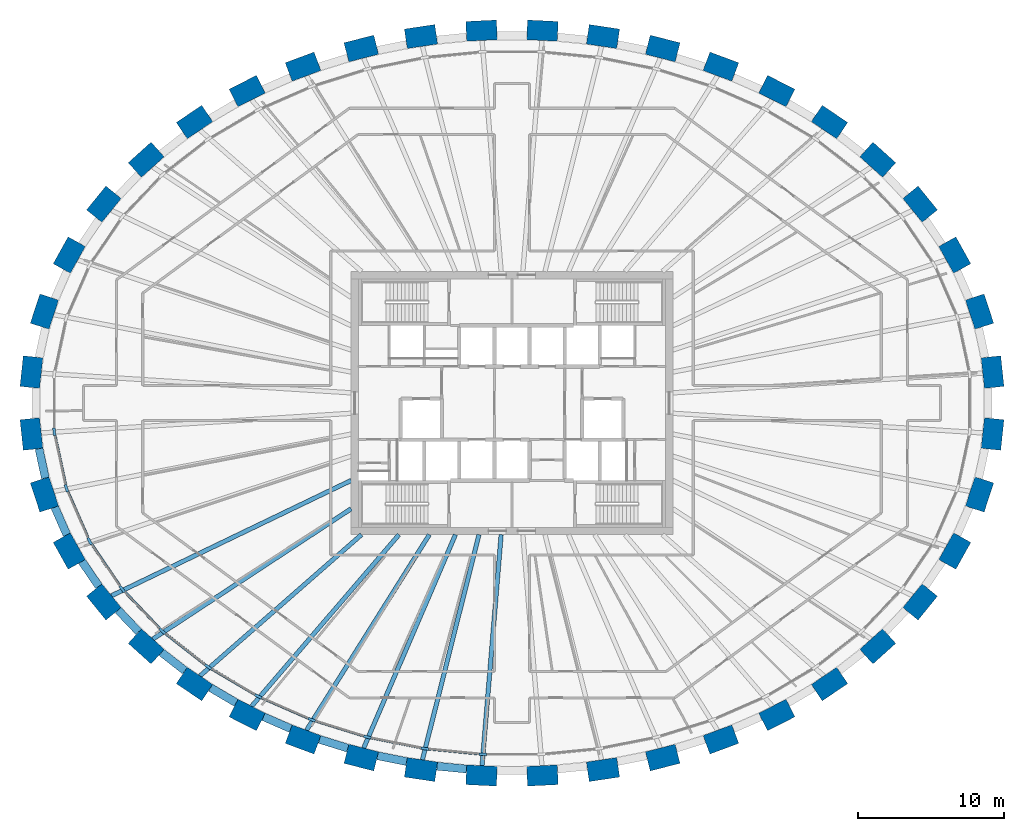
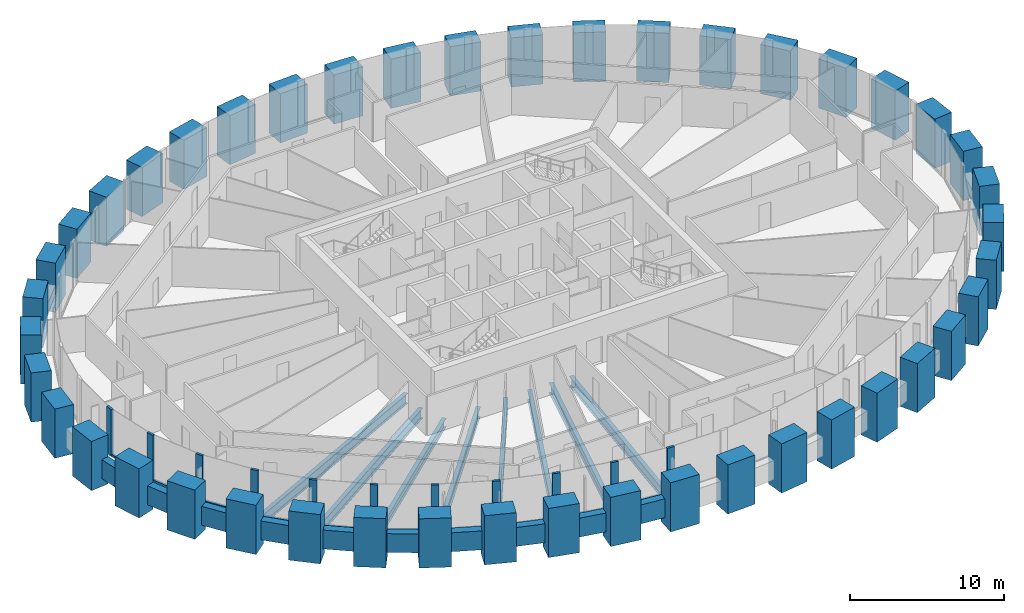
# One storey, part 1 of 12: 44 columns, 21 members, 18 beams, 1 element without a shape of its own.
"""IFC4 building model written with IfcOpenShell, lengths in metres."""

from ifc_helpers import new_model, si_unit, direction, frame, origin, origin_2d, place, context, subcontext, project, spatial, rectangle, i_section, extrude, source, transform, mapped, material, material_profile, profile_set, type_object, element, aggregate, save


model = new_model("IFC4")

# Units and contexts
model_context = context("Model", 3, precision=1e-05, world=origin(), true_north=direction((0.0, 1.0)))
body_context = subcontext(model_context, "Body", "Model", "MODEL_VIEW")
ifc_project = project(units=[si_unit("LENGTHUNIT", "METRE"), si_unit("AREAUNIT", "SQUARE_METRE"), si_unit("VOLUMEUNIT", "CUBIC_METRE"), si_unit("PLANEANGLEUNIT", "RADIAN"), si_unit("MASSUNIT", "GRAM", prefix="KILO")], contexts=[model_context])

# Site, building, storey
site_placement = place(None, origin())
site = spatial("IfcSite", under=ifc_project, at=site_placement, CompositionType="ELEMENT")
building_placement = place(site_placement, origin())
building = spatial("IfcBuilding", under=site, at=building_placement, Name="Embergate Tower", CompositionType="ELEMENT")
storey_placement = place(building_placement, frame((0.0, 0.0, 265.60009765625)))
storey = spatial("IfcBuildingStorey", under=building, at=storey_placement, Name="L61", CompositionType="ELEMENT", Elevation=265.60009765625)

# Columns
ifc_material_1 = material(Name="Concrete C60", Category="concrete")
ifc_material_profile_1 = material_profile(ifc_material_1, rectangle(XDim=1.35009765625, YDim=2.10009765625, at=origin_2d()), Name="RC 1350x2100")
ifc_profile_set_1 = profile_set([ifc_material_profile_1], Name="Concrete C60")
column_type = type_object("IfcColumnType", Name="Ring column RC 1350x2100 C60", PredefinedType="COLUMN", material=ifc_profile_set_1)
shared_shape_1 = source(origin(), body_context, "Body", "SweptSolid", [
    extrude(rectangle(XDim=1.35009765625, YDim=2.10009765625, at=origin_2d()), origin(), (0.0, 0.0, 1.0), 3.900146484375),
])
for number, where, z_axis, x_axis, name in (
    (1, (32.862060546875, 2.116943359375, -1.400146484375), (0.0, 0.0, 1.0), (0.99428589498, 0.106749983816, 0.0), "COL-L61-00"),
    (2, (31.971923828125, 6.2529296875, -1.400146484375), (0.0, 0.0, 1.0), (0.950754033697, 0.309946394413, 0.0), "COL-L61-01"),
    (3, (30.27587890625, 10.118896484375, -1.400146484375), (0.0, 0.0, 1.0), (0.873491969053, 0.486838556403, 0.0), "COL-L61-02"),
    (4, (27.908935546875, 13.60009765625, -1.400146484375), (0.0, 0.0, 1.0), (0.775914301615, 0.630838328377, 0.0), "COL-L61-03"),
    (5, (25.011962890625, 16.637939453125, -1.400146484375), (0.0, 0.0, 1.0), (0.669208424634, 0.74307475021, 0.0), "COL-L61-04"),
    (6, (21.7109375, 19.215087890625, -1.400146484375), (0.0, 0.0, 1.0), (0.560393279442, 0.828226643109, 0.0), "COL-L61-05"),
    (7, (18.10888671875, 21.3330078125, -1.400146484375), (0.0, 0.0, 1.0), (0.452994952881, 0.891513080478, 0.0), "COL-L61-06"),
    (8, (14.285888671875, 23.0048828125, -1.400146484375), (0.0, 0.0, 1.0), (0.348343015724, 0.93736713373, 0.0), "COL-L61-07"),
    (9, (10.306884765625, 24.243896484375, -1.400146484375), (0.0, 0.0, 1.0), (0.246491603437, 0.969144926951, 0.0), "COL-L61-08"),
    (10, (6.222900390625, 25.06298828125, -1.400146484375), (0.0, 0.0, 1.0), (0.146929011949, 0.989147039346, 0.0), "COL-L61-09"),
    (11, (2.0810546875, 25.469970703125, -1.400146484375), (0.0, 0.0, 1.0), (0.048814904854, 0.998807841912, 0.0), "COL-L61-10"),
    (12, (-2.0810546875, 25.469970703125, -1.400146484375), (0.0, 0.0, 1.0), (-0.048814904854, 0.998807841912, 0.0), "COL-L61-11"),
    (13, (-6.222900390625, 25.06298828125, -1.400146484375), (0.0, 0.0, 1.0), (-0.146929011949, 0.989147039346, 0.0), "COL-L61-12"),
    (14, (-10.306884765625, 24.243896484375, -1.400146484375), (0.0, 0.0, 1.0), (-0.246491603437, 0.969144926951, 0.0), "COL-L61-13"),
    (15, (-14.285888671875, 23.0048828125, -1.400146484375), (0.0, 0.0, 1.0), (-0.348343015724, 0.93736713373, 0.0), "COL-L61-14"),
    (16, (-18.10888671875, 21.3330078125, -1.400146484375), (0.0, 0.0, 1.0), (-0.452994952881, 0.891513080478, 0.0), "COL-L61-15"),
    (17, (-21.7109375, 19.215087890625, -1.400146484375), (0.0, 0.0, 1.0), (-0.560393279442, 0.828226643109, 0.0), "COL-L61-16"),
    (18, (-25.011962890625, 16.637939453125, -1.400146484375), (0.0, 0.0, 1.0), (-0.669208424634, 0.74307475021, 0.0), "COL-L61-17"),
    (19, (-27.908935546875, 13.60009765625, -1.400146484375), (0.0, 0.0, 1.0), (-0.775914301615, 0.630838328377, 0.0), "COL-L61-18"),
    (20, (-30.27587890625, 10.118896484375, -1.400146484375), (0.0, 0.0, 1.0), (-0.873491969053, 0.486838556403, 0.0), "COL-L61-19"),
    (21, (-31.971923828125, 6.2529296875, -1.400146484375), (0.0, 0.0, 1.0), (-0.950754033697, 0.309946394413, 0.0), "COL-L61-20"),
    (22, (-32.862060546875, 2.116943359375, -1.400146484375), (0.0, 0.0, 1.0), (-0.99428589498, 0.106749983816, 0.0), "COL-L61-21"),
    (23, (-32.862060546875, -2.116943359375, -1.400146484375), (0.0, 0.0, 1.0), (-0.99428589498, -0.106749983816, 0.0), "COL-L61-22"),
    (24, (-31.971923828125, -6.2529296875, -1.400146484375), (0.0, 0.0, 1.0), (-0.950754033697, -0.309946394413, 0.0), "COL-L61-23"),
    (25, (-30.27587890625, -10.118896484375, -1.400146484375), (0.0, 0.0, 1.0), (-0.873491969053, -0.486838556403, 0.0), "COL-L61-24"),
    (26, (-27.908935546875, -13.60009765625, -1.400146484375), (0.0, 0.0, 1.0), (-0.775914301615, -0.630838328377, 0.0), "COL-L61-25"),
    (27, (-25.011962890625, -16.637939453125, -1.400146484375), (0.0, 0.0, 1.0), (-0.669208424634, -0.74307475021, 0.0), "COL-L61-26"),
    (28, (-21.7109375, -19.215087890625, -1.400146484375), (0.0, 0.0, 1.0), (-0.560393279442, -0.828226643109, 0.0), "COL-L61-27"),
    (29, (-18.10888671875, -21.3330078125, -1.400146484375), (0.0, 0.0, 1.0), (-0.452994952881, -0.891513080478, 0.0), "COL-L61-28"),
    (30, (-14.285888671875, -23.0048828125, -1.400146484375), (0.0, 0.0, 1.0), (-0.348343015724, -0.93736713373, 0.0), "COL-L61-29"),
    (31, (-10.306884765625, -24.243896484375, -1.400146484375), (0.0, 0.0, 1.0), (-0.246491603437, -0.969144926951, 0.0), "COL-L61-30"),
    (32, (-6.222900390625, -25.06298828125, -1.400146484375), (0.0, 0.0, 1.0), (-0.146929011949, -0.989147039346, 0.0), "COL-L61-31"),
    (33, (-2.0810546875, -25.469970703125, -1.400146484375), (0.0, 0.0, 1.0), (-0.048814904854, -0.998807841912, 0.0), "COL-L61-32"),
    (34, (2.0810546875, -25.469970703125, -1.400146484375), (0.0, 0.0, 1.0), (0.048814904854, -0.998807841912, 0.0), "COL-L61-33"),
    (35, (6.222900390625, -25.06298828125, -1.400146484375), (0.0, 0.0, 1.0), (0.146929011949, -0.989147039346, 0.0), "COL-L61-34"),
    (36, (10.306884765625, -24.243896484375, -1.400146484375), (0.0, 0.0, 1.0), (0.246491603437, -0.969144926951, 0.0), "COL-L61-35"),
    (37, (14.285888671875, -23.0048828125, -1.400146484375), (0.0, 0.0, 1.0), (0.348343015724, -0.93736713373, 0.0), "COL-L61-36"),
    (38, (18.10888671875, -21.3330078125, -1.400146484375), (0.0, 0.0, 1.0), (0.452994952881, -0.891513080478, 0.0), "COL-L61-37"),
    (39, (21.7109375, -19.215087890625, -1.400146484375), (0.0, 0.0, 1.0), (0.560393279442, -0.828226643109, 0.0), "COL-L61-38"),
    (40, (25.011962890625, -16.637939453125, -1.400146484375), (0.0, 0.0, 1.0), (0.669208424634, -0.74307475021, 0.0), "COL-L61-39"),
    (41, (27.908935546875, -13.60009765625, -1.400146484375), (0.0, 0.0, 1.0), (0.775914301615, -0.630838328377, 0.0), "COL-L61-40"),
    (42, (30.27587890625, -10.118896484375, -1.400146484375), (0.0, 0.0, 1.0), (0.873491969053, -0.486838556403, 0.0), "COL-L61-41"),
    (43, (31.971923828125, -6.2529296875, -1.400146484375), (0.0, 0.0, 1.0), (0.950754033697, -0.309946394413, 0.0), "COL-L61-42"),
    (44, (32.862060546875, -2.116943359375, -1.400146484375), (0.0, 0.0, 1.0), (0.99428589498, -0.106749983816, 0.0), "COL-L61-43"),
):
    element("IfcColumn", number, at=place(storey_placement, frame(where, z_axis=z_axis, x_axis=x_axis)), inside=storey, type_object=column_type, Name=name, PredefinedType="COLUMN", context=body_context, shape_type="MappedRepresentation", body=[
        mapped(shared_shape_1, transform((0.0, 0.0, 0.0))),
    ])

# Beams
ifc_material_profile_2 = material_profile(ifc_material_1, rectangle(XDim=0.550048828125, YDim=1.5, at=origin_2d()), Name="RC 550x1500")
ifc_profile_set_2 = profile_set([ifc_material_profile_2], Name="Concrete C60")
beam_type_1 = type_object("IfcBeamType", Name="Spandrel beam RC 550x1500 C60", PredefinedType="BEAM", material=ifc_profile_set_2)
shared_shape_2 = source(origin(), body_context, "Body", "SweptSolid", [
    extrude(rectangle(XDim=0.550048828125, YDim=1.5, at=origin_2d()), origin(), (0.0, 0.0, 1.0), 2.05810546875),
])
beam_1_placement = place(storey_placement, frame((-32.343994140625, -3.116943359375, 0.0), z_axis=(0.210444450804, -0.977605816843, 0.0), x_axis=(0.977605816843, 0.210444450804, 0.0)))
element("IfcBeam", 45, at=beam_1_placement, inside=storey, type_object=beam_type_1, Name="SPN-L61-22", PredefinedType="BEAM", context=body_context, shape_type="MappedRepresentation", body=[
    mapped(shared_shape_2, transform((0.0, 0.0, 0.0))),
])
shared_shape_3 = source(origin(), body_context, "Body", "SweptSolid", [
    extrude(rectangle(XDim=0.550048828125, YDim=1.5, at=origin_2d()), origin(), (0.0, 0.0, 1.0), 2.054443359375),
])
beam_2_placement = place(storey_placement, frame((-31.264892578125, -7.126953125, 0.0), z_axis=(0.402021652571, -0.915630160526, 0.0), x_axis=(0.915630160526, 0.402021652571, 0.0)))
element("IfcBeam", 46, at=beam_2_placement, inside=storey, type_object=beam_type_1, Name="SPN-L61-23", PredefinedType="BEAM", context=body_context, shape_type="MappedRepresentation", body=[
    mapped(shared_shape_3, transform((0.0, 0.0, 0.0))),
])
shared_shape_4 = source(origin(), body_context, "Body", "SweptSolid", [
    extrude(rectangle(XDim=0.550048828125, YDim=1.5, at=origin_2d()), origin(), (0.0, 0.0, 1.0), 2.046630859375),
])
beam_3_placement = place(storey_placement, frame((-29.405029296875, -10.8359375, 0.0), z_axis=(0.562466632366, -0.826819984927, 0.0), x_axis=(0.826819984927, 0.562466632366, 0.0)))
element("IfcBeam", 47, at=beam_3_placement, inside=storey, type_object=beam_type_1, Name="SPN-L61-24", PredefinedType="BEAM", context=body_context, shape_type="MappedRepresentation", body=[
    mapped(shared_shape_4, transform((0.0, 0.0, 0.0))),
])
shared_shape_5 = source(origin(), body_context, "Body", "SweptSolid", [
    extrude(rectangle(XDim=0.550048828125, YDim=1.5, at=origin_2d()), origin(), (0.0, 0.0, 1.0), 2.042724609375),
])
beam_4_placement = place(storey_placement, frame((-26.93505859375, -14.160888671875, 0.0), z_axis=(0.690299494905, -0.723523743448, 0.0), x_axis=(0.723523743448, 0.690299494905, 0.0)))
element("IfcBeam", 48, at=beam_4_placement, inside=storey, type_object=beam_type_1, Name="SPN-L61-25", PredefinedType="BEAM", context=body_context, shape_type="MappedRepresentation", body=[
    mapped(shared_shape_5, transform((0.0, 0.0, 0.0))),
])
shared_shape_6 = source(origin(), body_context, "Body", "SweptSolid", [
    extrude(rectangle(XDim=0.550048828125, YDim=1.5, at=origin_2d()), origin(), (0.0, 0.0, 1.0), 2.038330078125),
])
beam_5_placement = place(storey_placement, frame((-23.968994140625, -17.049072265625, 0.0), z_axis=(0.78838379352, -0.615183707615, 0.0), x_axis=(0.615183707615, 0.78838379352, 0.0)))
element("IfcBeam", 49, at=beam_5_placement, inside=storey, type_object=beam_type_1, Name="SPN-L61-26", PredefinedType="BEAM", context=body_context, shape_type="MappedRepresentation", body=[
    mapped(shared_shape_6, transform((0.0, 0.0, 0.0))),
])
shared_shape_7 = source(origin(), body_context, "Body", "SweptSolid", [
    extrude(rectangle(XDim=0.550048828125, YDim=1.5, at=origin_2d()), origin(), (0.0, 0.0, 1.0), 2.0322265625),
])
beam_6_placement = place(storey_placement, frame((-20.614013671875, -19.467041015625, 0.0), z_axis=(0.862048455152, -0.50682586849, 0.0), x_axis=(0.50682586849, 0.862048455152, 0.0)))
element("IfcBeam", 50, at=beam_6_placement, inside=storey, type_object=beam_type_1, Name="SPN-L61-27", PredefinedType="BEAM", context=body_context, shape_type="MappedRepresentation", body=[
    mapped(shared_shape_7, transform((0.0, 0.0, 0.0))),
])
shared_shape_8 = source(origin(), body_context, "Body", "SweptSolid", [
    extrude(rectangle(XDim=0.550048828125, YDim=1.5, at=origin_2d()), origin(), (0.0, 0.0, 1.0), 2.03076171875),
])
beam_7_placement = place(storey_placement, frame((-16.991943359375, -21.451904296875, 0.0), z_axis=(0.916361402872, -0.400352069216, 0.0), x_axis=(0.400352069216, 0.916361402872, 0.0)))
element("IfcBeam", 51, at=beam_7_placement, inside=storey, type_object=beam_type_1, Name="SPN-L61-28", PredefinedType="BEAM", context=body_context, shape_type="MappedRepresentation", body=[
    mapped(shared_shape_8, transform((0.0, 0.0, 0.0))),
])
shared_shape_9 = source(origin(), body_context, "Body", "SweptSolid", [
    extrude(rectangle(XDim=0.550048828125, YDim=1.5, at=origin_2d()), origin(), (0.0, 0.0, 1.0), 2.02880859375),
])
beam_8_placement = place(storey_placement, frame((-13.1640625, -22.9990234375, 0.0), z_axis=(0.954800624546, -0.297246980417, 0.0), x_axis=(0.297246980417, 0.954800624546, 0.0)))
element("IfcBeam", 52, at=beam_8_placement, inside=storey, type_object=beam_type_1, Name="SPN-L61-29", PredefinedType="BEAM", context=body_context, shape_type="MappedRepresentation", body=[
    mapped(shared_shape_9, transform((0.0, 0.0, 0.0))),
])
shared_shape_10 = source(origin(), body_context, "Body", "SweptSolid", [
    extrude(rectangle(XDim=0.550048828125, YDim=1.5, at=origin_2d()), origin(), (0.0, 0.0, 1.0), 2.02734375),
])
beam_9_placement = place(storey_placement, frame((-9.19189453125, -24.1220703125, 0.0), z_axis=(0.980543602706, -0.196301409041, 0.0), x_axis=(0.196301409041, 0.980543602706, 0.0)))
element("IfcBeam", 53, at=beam_9_placement, inside=storey, type_object=beam_type_1, Name="SPN-L61-30", PredefinedType="BEAM", context=body_context, shape_type="MappedRepresentation", body=[
    mapped(shared_shape_10, transform((0.0, 0.0, 0.0))),
])
shared_shape_11 = source(origin(), body_context, "Body", "SweptSolid", [
    extrude(rectangle(XDim=0.550048828125, YDim=1.5, at=origin_2d()), origin(), (0.0, 0.0, 1.0), 2.025634765625),
])
beam_10_placement = place(storey_placement, frame((-5.126953125, -24.830078125, 0.0), z_axis=(0.995211067802, -0.097749324935, 0.0), x_axis=(0.097749324935, 0.995211067802, 0.0)))
element("IfcBeam", 54, at=beam_10_placement, inside=storey, type_object=beam_type_1, Name="SPN-L61-31", PredefinedType="BEAM", context=body_context, shape_type="MappedRepresentation", body=[
    mapped(shared_shape_11, transform((0.0, 0.0, 0.0))),
])
ifc_material_2 = material(Name="Steel Q355B", Category="steel")
ifc_material_profile_3 = material_profile(ifc_material_2, i_section(OverallWidth=0.300048828125, OverallDepth=0.800048828125, WebThickness=0.013916015625, FlangeThickness=0.02587890625, FilletRadius=0.028076171875, at=origin_2d()), Name="HN 800x300x14x26")
ifc_profile_set_3 = profile_set([ifc_material_profile_3], Name="Steel Q355 grade B")
beam_type_2 = type_object("IfcBeamType", Name="Radial girder HN 800x300x14x26", PredefinedType="BEAM", material=ifc_profile_set_3)
shared_shape_12 = source(origin(), body_context, "Body", "SweptSolid", [
    extrude(i_section(OverallWidth=0.300048828125, OverallDepth=0.800048828125, WebThickness=0.013916015625, FlangeThickness=0.02587890625, FilletRadius=0.028076171875, at=origin_2d()), origin(), (0.0, 0.0, 1.0), 18.182373046875),
])
beam_11_placement = place(storey_placement, frame((-27.385009765625, -13.174072265625, -0.60009765625), z_axis=(0.901152068073, 0.433503114415, 0.0), x_axis=(-0.433503114415, 0.901152068073, 0.0)))
element("IfcBeam", 55, at=beam_11_placement, inside=storey, type_object=beam_type_2, Name="GIR-L61-25", PredefinedType="BEAM", context=body_context, shape_type="MappedRepresentation", body=[
    mapped(shared_shape_12, transform((0.0, 0.0, 0.0))),
])
shared_shape_13 = source(origin(), body_context, "Body", "SweptSolid", [
    extrude(i_section(OverallWidth=0.300048828125, OverallDepth=0.800048828125, WebThickness=0.013916015625, FlangeThickness=0.02587890625, FilletRadius=0.028076171875, at=origin_2d()), origin(), (0.0, 0.0, 1.0), 16.224853515625),
])
beam_12_placement = place(storey_placement, frame((-24.56005859375, -16.135986328125, -0.60009765625), z_axis=(0.83576092079, 0.549093510506, 0.0), x_axis=(-0.549093510506, 0.83576092079, 0.0)))
element("IfcBeam", 56, at=beam_12_placement, inside=storey, type_object=beam_type_2, Name="GIR-L61-26", PredefinedType="BEAM", context=body_context, shape_type="MappedRepresentation", body=[
    mapped(shared_shape_13, transform((0.0, 0.0, 0.0))),
])
ifc_material_profile_4 = material_profile(ifc_material_2, i_section(OverallWidth=0.300048828125, OverallDepth=0.699951171875, WebThickness=0.012939453125, FlangeThickness=0.02392578125, FilletRadius=0.01806640625, at=origin_2d()), Name="HN 700x300x13x24")
ifc_profile_set_4 = profile_set([ifc_material_profile_4], Name="Steel Q355 grade B")
beam_type_3 = type_object("IfcBeamType", Name="Radial girder HN 700x300x13x24", PredefinedType="BEAM", material=ifc_profile_set_4)
shared_shape_14 = source(origin(), body_context, "Body", "SweptSolid", [
    extrude(i_section(OverallWidth=0.300048828125, OverallDepth=0.699951171875, WebThickness=0.012939453125, FlangeThickness=0.02392578125, FilletRadius=0.01806640625, at=origin_2d()), origin(), (0.0, 0.0, 1.0), 14.66845703125),
])
beam_13_placement = place(storey_placement, frame((-21.3330078125, -18.656005859375, -0.550048828125), z_axis=(0.752770497305, 0.658283053395, 0.0), x_axis=(-0.658283053395, 0.752770497305, 0.0)))
element("IfcBeam", 57, at=beam_13_placement, inside=storey, type_object=beam_type_3, Name="GIR-L61-27", PredefinedType="BEAM", context=body_context, shape_type="MappedRepresentation", body=[
    mapped(shared_shape_14, transform((0.0, 0.0, 0.0))),
])
shared_shape_15 = source(origin(), body_context, "Body", "SweptSolid", [
    extrude(i_section(OverallWidth=0.300048828125, OverallDepth=0.800048828125, WebThickness=0.013916015625, FlangeThickness=0.02587890625, FilletRadius=0.028076171875, at=origin_2d()), origin(), (0.0, 0.0, 1.0), 15.462890625),
])
beam_14_placement = place(storey_placement, frame((-17.802978515625, -20.73095703125, -0.60009765625), z_axis=(0.651494533004, 0.75865332891, 0.0), x_axis=(-0.75865332891, 0.651494533004, 0.0)))
element("IfcBeam", 58, at=beam_14_placement, inside=storey, type_object=beam_type_2, Name="GIR-L61-28", PredefinedType="BEAM", context=body_context, shape_type="MappedRepresentation", body=[
    mapped(shared_shape_15, transform((0.0, 0.0, 0.0))),
])
shared_shape_16 = source(origin(), body_context, "Body", "SweptSolid", [
    extrude(i_section(OverallWidth=0.300048828125, OverallDepth=0.800048828125, WebThickness=0.013916015625, FlangeThickness=0.02587890625, FilletRadius=0.028076171875, at=origin_2d()), origin(), (0.0, 0.0, 1.0), 15.791015625),
])
beam_15_placement = place(storey_placement, frame((-14.051025390625, -22.3720703125, -0.60009765625), z_axis=(0.531882110567, 0.846818410557, 0.0), x_axis=(-0.846818410557, 0.531882110567, 0.0)))
element("IfcBeam", 59, at=beam_15_placement, inside=storey, type_object=beam_type_2, Name="GIR-L61-29", PredefinedType="BEAM", context=body_context, shape_type="MappedRepresentation", body=[
    mapped(shared_shape_16, transform((0.0, 0.0, 0.0))),
])
shared_shape_17 = source(origin(), body_context, "Body", "SweptSolid", [
    extrude(i_section(OverallWidth=0.300048828125, OverallDepth=0.800048828125, WebThickness=0.013916015625, FlangeThickness=0.02587890625, FilletRadius=0.028076171875, at=origin_2d()), origin(), (0.0, 0.0, 1.0), 15.881103515625),
])
beam_16_placement = place(storey_placement, frame((-10.14111328125, -23.590087890625, -0.60009765625), z_axis=(0.394946920714, 0.918703940243, 0.0), x_axis=(-0.918703940243, 0.394946920714, 0.0)))
element("IfcBeam", 60, at=beam_16_placement, inside=storey, type_object=beam_type_2, Name="GIR-L61-30", PredefinedType="BEAM", context=body_context, shape_type="MappedRepresentation", body=[
    mapped(shared_shape_17, transform((0.0, 0.0, 0.0))),
])
shared_shape_18 = source(origin(), body_context, "Body", "SweptSolid", [
    extrude(i_section(OverallWidth=0.300048828125, OverallDepth=0.800048828125, WebThickness=0.013916015625, FlangeThickness=0.02587890625, FilletRadius=0.028076171875, at=origin_2d()), origin(), (0.0, 0.0, 1.0), 15.872802734375),
])
beam_17_placement = place(storey_placement, frame((-6.1240234375, -24.39501953125, -0.60009765625), z_axis=(0.243498181484, 0.969901353548, 0.0), x_axis=(-0.969901353548, 0.243498181484, 0.0)))
element("IfcBeam", 61, at=beam_17_placement, inside=storey, type_object=beam_type_2, Name="GIR-L61-31", PredefinedType="BEAM", context=body_context, shape_type="MappedRepresentation", body=[
    mapped(shared_shape_18, transform((0.0, 0.0, 0.0))),
])
shared_shape_19 = source(origin(), body_context, "Body", "SweptSolid", [
    extrude(i_section(OverallWidth=0.300048828125, OverallDepth=0.800048828125, WebThickness=0.013916015625, FlangeThickness=0.02587890625, FilletRadius=0.028076171875, at=origin_2d()), origin(), (0.0, 0.0, 1.0), 15.849609375),
])
beam_18_placement = place(storey_placement, frame((-2.048095703125, -24.7958984375, -0.60009765625), z_axis=(0.082346886075, 0.996603727845, 0.0), x_axis=(-0.996603727845, 0.082346886075, 0.0)))
element("IfcBeam", 62, at=beam_18_placement, inside=storey, type_object=beam_type_2, Name="GIR-L61-32", PredefinedType="BEAM", context=body_context, shape_type="MappedRepresentation", body=[
    mapped(shared_shape_19, transform((0.0, 0.0, 0.0))),
])

# Curtain wall, members
ifc_material_3 = material(Name="Aluminium and glass", Category="aluminium")
curtain_wall_type = type_object("IfcCurtainWallType", Name="Recessed office glazing", PredefinedType="NOTDEFINED", material=ifc_material_3)
curtain_wall_placement = place(storey_placement, origin())
curtain_wall = element("IfcCurtainWall", 63, at=curtain_wall_placement, inside=storey, type_object=curtain_wall_type, Name="Recessed office glazing ring", ObjectType="RECESSED OFFICE GLAZING", PredefinedType="USERDEFINED")
ifc_material_4 = material(Name="Aluminium, thermally broken", Category="aluminium")
ifc_material_profile_5 = material_profile(ifc_material_4, rectangle(XDim=0.179931640625, YDim=0.52001953125, at=origin_2d()), Name="AL 520x180")
ifc_profile_set_5 = profile_set([ifc_material_profile_5], Name="Aluminium, thermally broken")
member_type_1 = type_object("IfcMemberType", Name="Office mullion", PredefinedType="MULLION", material=ifc_profile_set_5)
shared_shape_20 = source(origin(), body_context, "Body", "SweptSolid", [
    extrude(rectangle(XDim=0.179931640625, YDim=0.52001953125, at=origin_2d()), origin(), (0.0, 0.0, 1.0), 3.699951171875),
])
member_1_placement = place(storey_placement, frame((-31.301513671875, -1.971435546875, 0.0), z_axis=(0.0, 0.0, 1.0), x_axis=(0.994384215926, 0.105830199459, 0.0)))
member_1 = element("IfcMember", 64, at=member_1_placement, type_object=member_type_1, Name="CW mullion 23", PredefinedType="MULLION", context=body_context, shape_type="MappedRepresentation", body=[
    mapped(shared_shape_20, transform((0.0, 0.0, 0.0))),
])
member_2_placement = place(storey_placement, frame((-30.47119140625, -5.82861328125, 0.0), z_axis=(0.0, 0.0, 1.0), x_axis=(0.951492965233, 0.307670500881, 0.0)))
member_2 = element("IfcMember", 65, at=member_2_placement, type_object=member_type_1, Name="CW mullion 24", PredefinedType="MULLION", context=body_context, shape_type="MappedRepresentation", body=[
    mapped(shared_shape_20, transform((0.0, 0.0, 0.0))),
])
member_3_placement = place(storey_placement, frame((-28.8837890625, -9.447998046875, 0.0), z_axis=(0.0, 0.0, 1.0), x_axis=(0.874992601244, 0.484136290489, 0.0)))
member_3 = element("IfcMember", 66, at=member_3_placement, type_object=member_type_1, Name="CW mullion 25", PredefinedType="MULLION", context=body_context, shape_type="MappedRepresentation", body=[
    mapped(shared_shape_20, transform((0.0, 0.0, 0.0))),
])
member_4_placement = place(storey_placement, frame((-26.656494140625, -12.72314453125, 0.0), z_axis=(0.0, 0.0, 1.0), x_axis=(0.777861596203, 0.628435626897, 0.0)))
member_4 = element("IfcMember", 67, at=member_4_placement, type_object=member_type_1, Name="CW mullion 26", PredefinedType="MULLION", context=body_context, shape_type="MappedRepresentation", body=[
    mapped(shared_shape_20, transform((0.0, 0.0, 0.0))),
])
member_5_placement = place(storey_placement, frame((-23.9169921875, -15.595703125, 0.0), z_axis=(0.0, 0.0, 1.0), x_axis=(0.671216184057, 0.741261650337, 0.0)))
member_5 = element("IfcMember", 68, at=member_5_placement, type_object=member_type_1, Name="CW mullion 27", PredefinedType="MULLION", context=body_context, shape_type="MappedRepresentation", body=[
    mapped(shared_shape_20, transform((0.0, 0.0, 0.0))),
])
member_6_placement = place(storey_placement, frame((-20.781982421875, -18.042236328125, 0.0), z_axis=(0.0, 0.0, 1.0), x_axis=(0.562207514921, 0.82699619719, 0.0)))
member_6 = element("IfcMember", 69, at=member_6_placement, type_object=member_type_1, Name="CW mullion 28", PredefinedType="MULLION", context=body_context, shape_type="MappedRepresentation", body=[
    mapped(shared_shape_20, transform((0.0, 0.0, 0.0))),
])
member_7_placement = place(storey_placement, frame((-17.34912109375, -20.060791015625, 0.0), z_axis=(0.0, 0.0, 1.0), x_axis=(0.454503607328, 0.89074489666, 0.0)))
member_7 = element("IfcMember", 70, at=member_7_placement, type_object=member_type_1, Name="CW mullion 29", PredefinedType="MULLION", context=body_context, shape_type="MappedRepresentation", body=[
    mapped(shared_shape_20, transform((0.0, 0.0, 0.0))),
])
member_8_placement = place(storey_placement, frame((-13.69580078125, -21.657958984375, 0.0), z_axis=(0.0, 0.0, 1.0), x_axis=(0.349496141799, 0.936937803094, 0.0)))
member_8 = element("IfcMember", 71, at=member_8_placement, type_object=member_type_1, Name="CW mullion 30", PredefinedType="MULLION", context=body_context, shape_type="MappedRepresentation", body=[
    mapped(shared_shape_20, transform((0.0, 0.0, 0.0))),
])
member_9_placement = place(storey_placement, frame((-9.885986328125, -22.844482421875, 0.0), z_axis=(0.0, 0.0, 1.0), x_axis=(0.24730680803, 0.968937223303, 0.0)))
member_9 = element("IfcMember", 72, at=member_9_placement, type_object=member_type_1, Name="CW mullion 31", PredefinedType="MULLION", context=body_context, shape_type="MappedRepresentation", body=[
    mapped(shared_shape_20, transform((0.0, 0.0, 0.0))),
])
member_10_placement = place(storey_placement, frame((-5.9716796875, -23.629638671875, 0.0), z_axis=(0.0, 0.0, 1.0), x_axis=(0.147408930294, 0.989075632735, 0.0)))
member_10 = element("IfcMember", 73, at=member_10_placement, type_object=member_type_1, Name="CW mullion 32", PredefinedType="MULLION", context=body_context, shape_type="MappedRepresentation", body=[
    mapped(shared_shape_20, transform((0.0, 0.0, 0.0))),
])
member_11_placement = place(storey_placement, frame((-1.9970703125, -24.020263671875, 0.0), z_axis=(0.0, 0.0, 1.0), x_axis=(0.048970053385, 0.998800247232, 0.0)))
member_11 = element("IfcMember", 74, at=member_11_placement, type_object=member_type_1, Name="CW mullion 33", PredefinedType="MULLION", context=body_context, shape_type="MappedRepresentation", body=[
    mapped(shared_shape_20, transform((0.0, 0.0, 0.0))),
])
ifc_material_profile_6 = material_profile(ifc_material_4, rectangle(XDim=0.179931640625, YDim=0.14990234375, at=origin_2d()), Name="AL 150x180")
ifc_profile_set_6 = profile_set([ifc_material_profile_6], Name="Aluminium, thermally broken")
member_type_2 = type_object("IfcMemberType", Name="Office sill transom", PredefinedType="USERDEFINED", material=ifc_profile_set_6)
shared_shape_21 = source(origin(), body_context, "Body", "SweptSolid", [
    extrude(rectangle(XDim=0.179931640625, YDim=0.14990234375, at=origin_2d()), origin(), (0.0, 0.0, 1.0), 3.42529296875),
])
member_12_placement = place(storey_placement, frame((-31.24658203125, -2.2255859375, 0.074951171875), z_axis=(0.210405171299, -0.977614271526, 0.0), x_axis=(0.977614271526, 0.210405171299, 0.0)))
member_12 = element("IfcMember", 75, at=member_12_placement, type_object=member_type_2, Name="CW transom 23.1", ObjectType="TRANSOM", PredefinedType="USERDEFINED", context=body_context, shape_type="MappedRepresentation", body=[
    mapped(shared_shape_21, transform((0.0, 0.0, 0.0))),
])
shared_shape_22 = source(origin(), body_context, "Body", "SweptSolid", [
    extrude(rectangle(XDim=0.179931640625, YDim=0.14990234375, at=origin_2d()), origin(), (0.0, 0.0, 1.0), 3.43212890625),
])
member_13_placement = place(storey_placement, frame((-30.36669921875, -6.066650390625, 0.074951171875), z_axis=(0.401632188585, -0.915801061963, 0.0), x_axis=(0.915801061963, 0.401632188585, 0.0)))
member_13 = element("IfcMember", 76, at=member_13_placement, type_object=member_type_2, Name="CW transom 24.1", ObjectType="TRANSOM", PredefinedType="USERDEFINED", context=body_context, shape_type="MappedRepresentation", body=[
    mapped(shared_shape_22, transform((0.0, 0.0, 0.0))),
])
shared_shape_23 = source(origin(), body_context, "Body", "SweptSolid", [
    extrude(rectangle(XDim=0.179931640625, YDim=0.14990234375, at=origin_2d()), origin(), (0.0, 0.0, 1.0), 3.44091796875),
])
member_14_placement = place(storey_placement, frame((-28.737548828125, -9.662841796875, 0.074951171875), z_axis=(0.562372122954, -0.826884269607, 0.0), x_axis=(0.826884269607, 0.562372122954, 0.0)))
member_14 = element("IfcMember", 77, at=member_14_placement, type_object=member_type_2, Name="CW transom 25.1", ObjectType="TRANSOM", PredefinedType="USERDEFINED", context=body_context, shape_type="MappedRepresentation", body=[
    mapped(shared_shape_23, transform((0.0, 0.0, 0.0))),
])
shared_shape_24 = source(origin(), body_context, "Body", "SweptSolid", [
    extrude(rectangle(XDim=0.179931640625, YDim=0.14990234375, at=origin_2d()), origin(), (0.0, 0.0, 1.0), 3.449462890625),
])
member_15_placement = place(storey_placement, frame((-26.47705078125, -12.9111328125, 0.074951171875), z_axis=(0.690133956855, -0.723681643815, 0.0), x_axis=(0.723681643815, 0.690133956855, 0.0)))
member_15 = element("IfcMember", 78, at=member_15_placement, type_object=member_type_2, Name="CW transom 26.1", ObjectType="TRANSOM", PredefinedType="USERDEFINED", context=body_context, shape_type="MappedRepresentation", body=[
    mapped(shared_shape_24, transform((0.0, 0.0, 0.0))),
])
shared_shape_25 = source(origin(), body_context, "Body", "SweptSolid", [
    extrude(rectangle(XDim=0.179931640625, YDim=0.14990234375, at=origin_2d()), origin(), (0.0, 0.0, 1.0), 3.456787109375),
])
member_16_placement = place(storey_placement, frame((-23.712158203125, -15.755615234375, 0.074951171875), z_axis=(0.788343354806, -0.615235528016, 0.0), x_axis=(0.615235528016, 0.788343354806, 0.0)))
member_16 = element("IfcMember", 79, at=member_16_placement, type_object=member_type_2, Name="CW transom 27.1", ObjectType="TRANSOM", PredefinedType="USERDEFINED", context=body_context, shape_type="MappedRepresentation", body=[
    mapped(shared_shape_25, transform((0.0, 0.0, 0.0))),
])
shared_shape_26 = source(origin(), body_context, "Body", "SweptSolid", [
    extrude(rectangle(XDim=0.179931640625, YDim=0.14990234375, at=origin_2d()), origin(), (0.0, 0.0, 1.0), 3.462646484375),
])
member_17_placement = place(storey_placement, frame((-20.55810546875, -18.174072265625, 0.074951171875), z_axis=(0.862068308193, -0.506792099394, 0.0), x_axis=(0.506792099394, 0.862068308193, 0.0)))
member_17 = element("IfcMember", 80, at=member_17_placement, type_object=member_type_2, Name="CW transom 28.1", ObjectType="TRANSOM", PredefinedType="USERDEFINED", context=body_context, shape_type="MappedRepresentation", body=[
    mapped(shared_shape_26, transform((0.0, 0.0, 0.0))),
])
shared_shape_27 = source(origin(), body_context, "Body", "SweptSolid", [
    extrude(rectangle(XDim=0.179931640625, YDim=0.14990234375, at=origin_2d()), origin(), (0.0, 0.0, 1.0), 3.467041015625),
])
member_18_placement = place(storey_placement, frame((-17.110595703125, -20.164794921875, 0.074951171875), z_axis=(0.916217122843, -0.400682148104, 0.0), x_axis=(0.400682148104, 0.916217122843, 0.0)))
member_18 = element("IfcMember", 81, at=member_18_placement, type_object=member_type_2, Name="CW transom 29.1", ObjectType="TRANSOM", PredefinedType="USERDEFINED", context=body_context, shape_type="MappedRepresentation", body=[
    mapped(shared_shape_27, transform((0.0, 0.0, 0.0))),
])
shared_shape_28 = source(origin(), body_context, "Body", "SweptSolid", [
    extrude(rectangle(XDim=0.179931640625, YDim=0.14990234375, at=origin_2d()), origin(), (0.0, 0.0, 1.0), 3.470458984375),
])
member_19_placement = place(storey_placement, frame((-13.44775390625, -21.7353515625, 0.074951171875), z_axis=(0.954784910088, -0.297297452846, 0.0), x_axis=(0.297297452846, 0.954784910088, 0.0)))
member_19 = element("IfcMember", 82, at=member_19_placement, type_object=member_type_2, Name="CW transom 30.1", ObjectType="TRANSOM", PredefinedType="USERDEFINED", context=body_context, shape_type="MappedRepresentation", body=[
    mapped(shared_shape_28, transform((0.0, 0.0, 0.0))),
])
shared_shape_29 = source(origin(), body_context, "Body", "SweptSolid", [
    extrude(rectangle(XDim=0.179931640625, YDim=0.14990234375, at=origin_2d()), origin(), (0.0, 0.0, 1.0), 3.472412109375),
])
member_20_placement = place(storey_placement, frame((-9.631103515625, -22.8955078125, 0.074951171875), z_axis=(0.980472357372, -0.196656951134, 0.0), x_axis=(0.196656951134, 0.980472357372, 0.0)))
member_20 = element("IfcMember", 83, at=member_20_placement, type_object=member_type_2, Name="CW transom 31.1", ObjectType="TRANSOM", PredefinedType="USERDEFINED", context=body_context, shape_type="MappedRepresentation", body=[
    mapped(shared_shape_29, transform((0.0, 0.0, 0.0))),
])
shared_shape_30 = source(origin(), body_context, "Body", "SweptSolid", [
    extrude(rectangle(XDim=0.179931640625, YDim=0.14990234375, at=origin_2d()), origin(), (0.0, 0.0, 1.0), 3.4736328125),
])
member_21_placement = place(storey_placement, frame((-5.712890625, -23.655029296875, 0.074951171875), z_axis=(0.99520279702, -0.0978334953, 0.0), x_axis=(0.0978334953, 0.99520279702, 0.0)))
member_21 = element("IfcMember", 84, at=member_21_placement, type_object=member_type_2, Name="CW transom 32.1", ObjectType="TRANSOM", PredefinedType="USERDEFINED", context=body_context, shape_type="MappedRepresentation", body=[
    mapped(shared_shape_30, transform((0.0, 0.0, 0.0))),
])
aggregate(curtain_wall, [member_1, member_2, member_3, member_4, member_5, member_6, member_7, member_8, member_9, member_10, member_11, member_12, member_13, member_14, member_15, member_16, member_17, member_18, member_19, member_20, member_21])

save(model, "model.ifc")
